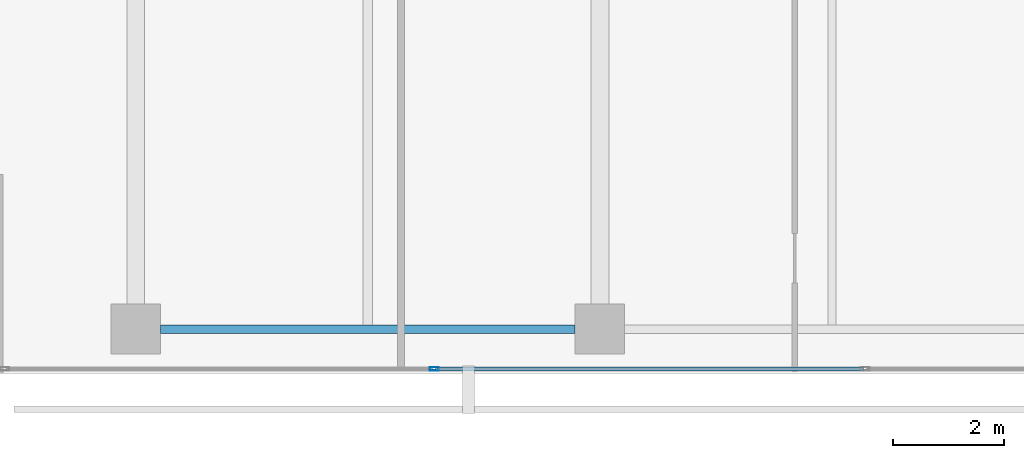
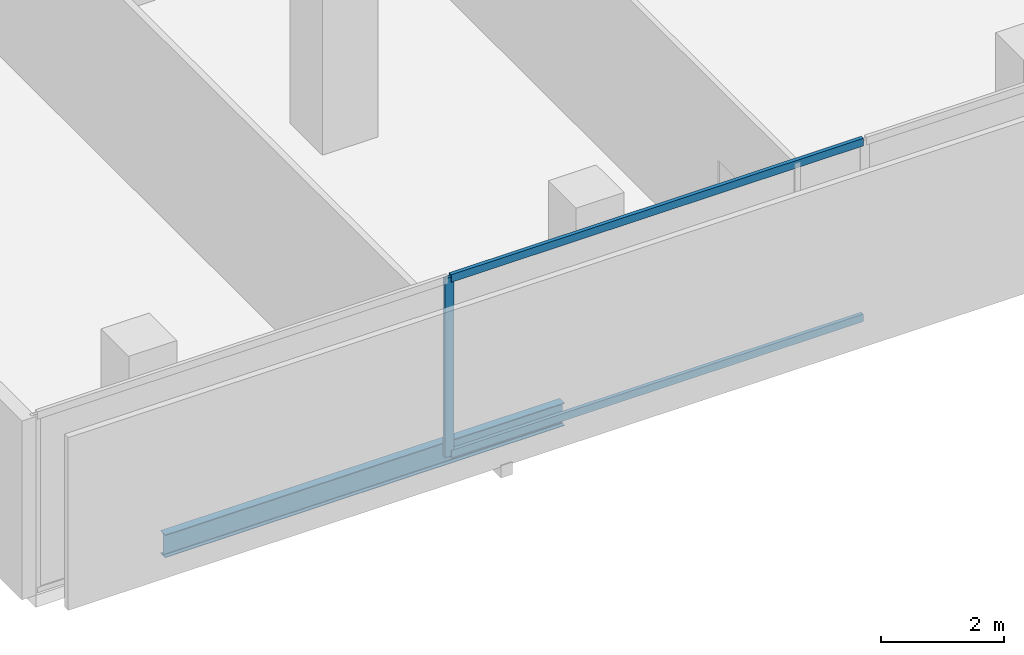
# One storey, part 3 of 39: 3 members, 1 beam, 1 element without a shape of its own.
"""IFC4 building model written with IfcOpenShell, lengths in metres."""

from ifc_helpers import new_model, si_unit, direction, frame, origin, origin_2d, place, context, subcontext, project, spatial, hollow_rectangle, i_section, extrude, material, layer, layer_set, material_profile, profile_set, type_object, element, aggregate, save


model = new_model("IFC4")

# Units and contexts
model_context = context("Model", 3, precision=1e-05, world=origin(), true_north=direction((0.0, 1.0)))
body_context = subcontext(model_context, "Body", "Model", "MODEL_VIEW")
ifc_project = project(units=[si_unit("LENGTHUNIT", "METRE"), si_unit("AREAUNIT", "SQUARE_METRE"), si_unit("VOLUMEUNIT", "CUBIC_METRE"), si_unit("PLANEANGLEUNIT", "RADIAN"), si_unit("MASSUNIT", "GRAM", prefix="KILO")], contexts=[model_context])

# Site, building, storey
site_placement = place(None, origin())
site = spatial("IfcSite", under=ifc_project, at=site_placement, CompositionType="ELEMENT")
building_placement = place(site_placement, origin())
building = spatial("IfcBuilding", under=site, at=building_placement, Name="Maruvema Waterfront Hotel and Observation Tower", CompositionType="ELEMENT")
storey_placement = place(building_placement, frame((0.0, 0.0, 111.64990234375)))
storey = spatial("IfcBuildingStorey", under=building, at=storey_placement, Name="L27", CompositionType="ELEMENT", Elevation=111.64990234375)

# Curtain wall, members
ifc_material_1 = material(Name="Anodised bronze aluminium and solar-control low-E IGU", Category="aluminium")
ifc_layer = layer(ifc_material_1, 0.159912109375, Name="Zone 1 Bronze Inner Thermal Curtain Wall System CW-02")
ifc_layer_set = layer_set([ifc_layer], Name="Anodised bronze aluminium and solar-control low-E IGU")
curtain_wall_type = type_object("IfcCurtainWallType", Name="Zone 1 Bronze Inner Thermal Curtain Wall System CW-02", PredefinedType="USERDEFINED", material=ifc_layer_set)
curtain_wall_placement = place(storey_placement, origin())
curtain_wall = element("IfcCurtainWall", 1, at=curtain_wall_placement, inside=storey, type_object=curtain_wall_type, Name="L27 Curtain Wall CW-L27-S", ObjectType="UNITISED CURTAIN WALL", PredefinedType="USERDEFINED")
ifc_material_2 = material(Name="Anodised architectural bronze aluminium", Category="aluminium")
ifc_material_profile_1 = material_profile(ifc_material_2, hollow_rectangle(XDim=0.070068359375, YDim=0.14990234375, WallThickness=0.00390625, at=origin_2d()), Name="ALU-T70x150")
ifc_profile_set_1 = profile_set([ifc_material_profile_1], Name="Anodised architectural bronze aluminium")
member_type_1 = type_object("IfcMemberType", Name="Curtain Wall Horizontal Transom ALU-T70x150", PredefinedType="USERDEFINED", material=ifc_profile_set_1)
member_1_placement = place(storey_placement, frame((22.22998046875, 0.080078125, 0.030029296875), z_axis=(1.0, 0.0, 0.0), x_axis=(0.0, 1.0, 0.0)))
member_1 = element("IfcMember", 2, at=member_1_placement, type_object=member_type_1, Name="CW-02 transom 2.1", ObjectType="TRANSOM", PredefinedType="USERDEFINED", context=body_context, shape_type="SweptSolid", body=[
    extrude(hollow_rectangle(XDim=0.070068359375, YDim=0.14990234375, WallThickness=0.00390625, at=origin_2d()), origin(), (0.0, 0.0, 1.0), 7.739990234375),
])
member_2_placement = place(storey_placement, frame((22.22998046875, 0.080078125, 3.52001953125), z_axis=(1.0, 0.0, 0.0), x_axis=(0.0, 1.0, 0.0)))
member_2 = element("IfcMember", 3, at=member_2_placement, type_object=member_type_1, Name="CW-02 transom 2.2", ObjectType="TRANSOM", PredefinedType="USERDEFINED", context=body_context, shape_type="SweptSolid", body=[
    extrude(hollow_rectangle(XDim=0.070068359375, YDim=0.14990234375, WallThickness=0.00390625, at=origin_2d()), origin(), (0.0, 0.0, 1.0), 7.739990234375),
])
ifc_material_3 = material(Name="Anodised architectural bronze aluminium", Category="aluminium")
ifc_material_profile_2 = material_profile(ifc_material_3, hollow_rectangle(XDim=0.06494140625, YDim=0.1650390625, WallThickness=0.00390625, at=origin_2d()), Name="ALU-M65x165")
ifc_profile_set_2 = profile_set([ifc_material_profile_2], Name="Anodised architectural bronze aluminium")
member_type_2 = type_object("IfcMemberType", Name="Curtain Wall Primary Mullion ALU-M65x165", PredefinedType="MULLION", material=ifc_profile_set_2)
member_3_placement = place(storey_placement, frame((22.199951171875, 0.080078125, 0.0), z_axis=(0.0, 0.0, 1.0), x_axis=(0.0, 1.0, 0.0)))
member_3 = element("IfcMember", 4, at=member_3_placement, type_object=member_type_2, Name="CW-02 mullion 2", PredefinedType="MULLION", context=body_context, shape_type="SweptSolid", body=[
    extrude(hollow_rectangle(XDim=0.06494140625, YDim=0.1650390625, WallThickness=0.00390625, at=origin_2d()), origin(), (0.0, 0.0, 1.0), 3.550048828125),
])
aggregate(curtain_wall, [member_3, member_1, member_2])

# Beam
ifc_material_4 = material(Name="Steel ASTM A572 Grade 50", Category="steel")
ifc_material_profile_3 = material_profile(ifc_material_4, i_section(OverallWidth=0.153076171875, OverallDepth=0.455078125, WebThickness=0.008056640625, FlangeThickness=0.01318359375, FilletRadius=0.014892578125, at=origin_2d()), Name="W460x60.0")
ifc_profile_set_3 = profile_set([ifc_material_profile_3], Name="Steel ASTM A572 Grade 50")
beam_type = type_object("IfcBeamType", Name="Perimeter Spandrel Beam W460x60.0", PredefinedType="SPANDREL", material=ifc_profile_set_3)
beam_placement = place(storey_placement, frame((17.25, 0.800048828125, -0.46728515625), z_axis=(1.0, 0.0, 0.0), x_axis=(0.0, 1.0, 0.0)))
element("IfcBeam", 5, at=beam_placement, inside=storey, type_object=beam_type, Name="L27 Floor Girder EW-01", PredefinedType="SPANDREL", context=body_context, shape_type="SweptSolid", body=[
    extrude(i_section(OverallWidth=0.153076171875, OverallDepth=0.455078125, WebThickness=0.008056640625, FlangeThickness=0.01318359375, FilletRadius=0.014892578125, at=origin_2d()), origin(), (0.0, 0.0, 1.0), 7.5),
])

save(model, "model.ifc")
